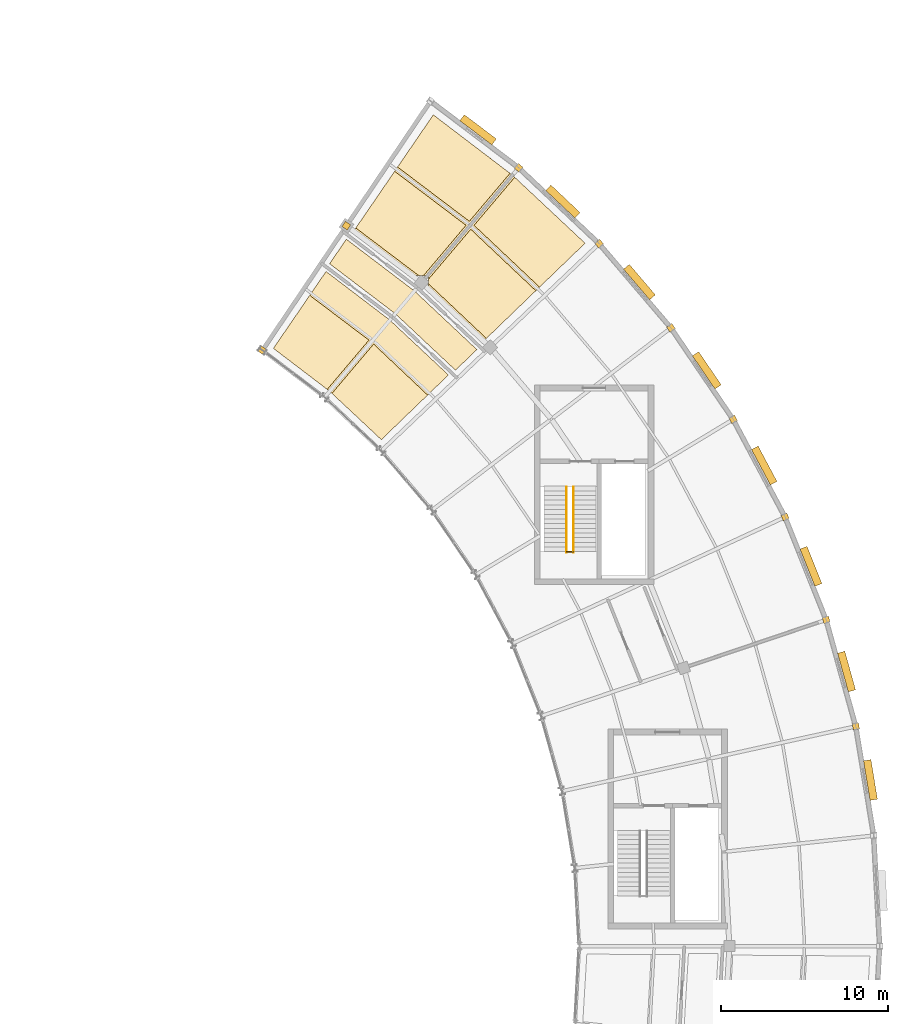
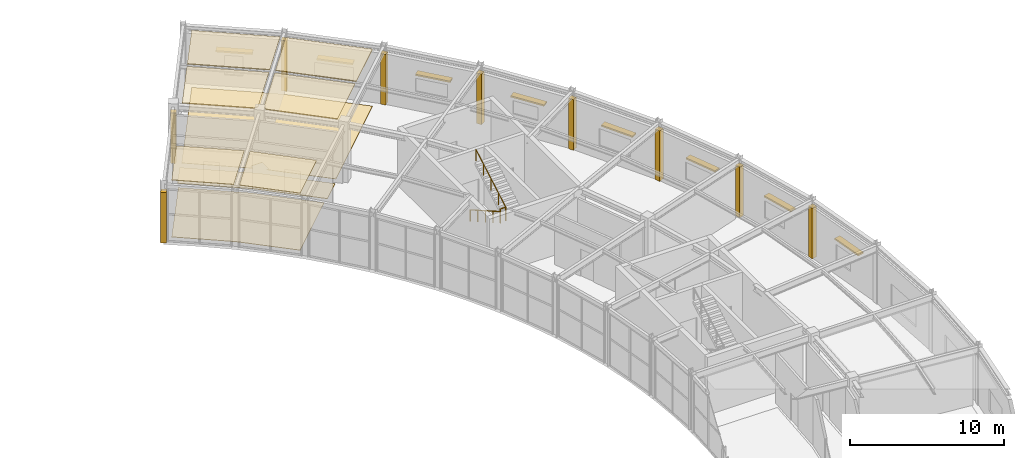
# One storey, part 107 of 108: 18 coverings, 8 shading devices, 3 railings.
"""IFC4 building model written with IfcOpenShell, lengths in metres."""

from ifc_helpers import new_model, si_unit, direction, frame, origin, origin_2d, place, context, subcontext, project, spatial, polyline, rectangle, circle, outline, extrude, material, layer, layer_set, type_object, element, save


model = new_model("IFC4")

# Units and contexts
model_context = context("Model", 3, precision=1e-05, world=origin(), true_north=direction((0.0, 1.0)))
body_context = subcontext(model_context, "Body", "Model", "MODEL_VIEW")
ifc_project = project(units=[si_unit("LENGTHUNIT", "METRE"), si_unit("AREAUNIT", "SQUARE_METRE"), si_unit("VOLUMEUNIT", "CUBIC_METRE"), si_unit("PLANEANGLEUNIT", "RADIAN"), si_unit("MASSUNIT", "GRAM", prefix="KILO")], contexts=[model_context])

# Site, building, storey
site_placement = place(None, origin())
site = spatial("IfcSite", under=ifc_project, at=site_placement, CompositionType="ELEMENT")
building_placement = place(site_placement, origin())
building = spatial("IfcBuilding", under=site, at=building_placement, Name="Tarnveldt Headland Concert Hall", CompositionType="ELEMENT")
storey_placement = place(building_placement, frame((0.0, 0.0, 9.60009765625)))
storey = spatial("IfcBuildingStorey", under=building, at=storey_placement, Name="L02", CompositionType="ELEMENT", Elevation=9.60009765625)

# Coverings
ifc_material_1 = material(Name="Micro-perforated mvule acoustic ceiling panel", Category="timber")
ifc_layer_1 = layer(ifc_material_1, 0.050048828125, Name="Micro-perforated mvule acoustic ceiling panel", Category="timber")
ifc_layer_set_1 = layer_set([ifc_layer_1], Name="Micro-perforated mvule acoustic ceiling panel")
covering_type_1 = type_object("IfcCoveringType", Name="CV-CEIL50", PredefinedType="CEILING", material=ifc_layer_set_1)
covering_1_placement = place(storey_placement, frame((0.0, 0.0, 4.5)))
element("IfcCovering", 1, at=covering_1_placement, inside=storey, type_object=covering_type_1, Name="Acoustic mvule ceiling L02-35-295", PredefinedType="CEILING", context=body_context, shape_type="SweptSolid", body=[
    extrude(outline(polyline([(145.712646484375, 93.072509765625), (148.207763671875, 96.022705078125), (151.439208984375, 92.97412109375), (148.6689453125, 90.302734375), (145.712646484375, 93.072509765625)])), origin(), (0.0, 0.0, 1.0), 0.0498046875),
])
covering_2_placement = place(storey_placement, frame((0.0, 0.0, 4.5)))
element("IfcCovering", 2, at=covering_2_placement, inside=storey, type_object=covering_type_1, Name="Acoustic mvule ceiling L02-35-296", PredefinedType="CEILING", context=body_context, shape_type="SweptSolid", body=[
    extrude(outline(polyline([(147.92529296875, 96.26171875), (145.43017578125, 93.311279296875), (142.208251953125, 95.766845703125), (144.38232421875, 98.942138671875), (147.92529296875, 96.26171875)])), origin(), (0.0, 0.0, 1.0), 0.0498046875),
])
ifc_layer_2 = layer(ifc_material_1, 0.06494140625, Name="Micro-perforated mvule acoustic ceiling panel", Category="timber")
ifc_layer_set_2 = layer_set([ifc_layer_2], Name="Micro-perforated mvule acoustic ceiling panel")
covering_type_2 = type_object("IfcCoveringType", Name="CV-CEIL65", PredefinedType="CEILING", material=ifc_layer_set_2)
covering_3_placement = place(storey_placement, frame((0.0, 0.0, 4.48486328125)))
element("IfcCovering", 3, at=covering_3_placement, inside=storey, type_object=covering_type_2, Name="Acoustic mvule ceiling L02-37-301", PredefinedType="CEILING", context=body_context, shape_type="SweptSolid", body=[
    extrude(outline(polyline([(153.9375, 103.37060546875), (149.640625, 106.62158203125), (151.778564453125, 109.743896484375), (156.368896484375, 106.24560546875), (153.9375, 103.37060546875)])), origin(), (0.0, 0.0, 1.0), 0.06494140625),
])
covering_4_placement = place(storey_placement, frame((0.0, 0.0, 4.48486328125)))
element("IfcCovering", 4, at=covering_4_placement, inside=storey, type_object=covering_type_2, Name="Acoustic mvule ceiling L02-37-302", PredefinedType="CEILING", context=body_context, shape_type="SweptSolid", body=[
    extrude(outline(polyline([(150.898681640625, 100.12939453125), (147.1416015625, 102.971923828125), (149.46533203125, 106.365478515625), (153.737060546875, 103.133544921875), (151.1962890625, 100.12939453125), (150.898681640625, 100.12939453125)])), origin(), (0.0, 0.0, 1.0), 0.06494140625),
])
covering_5_placement = place(storey_placement, frame((0.0, 0.0, 4.48486328125)))
element("IfcCovering", 5, at=covering_5_placement, inside=storey, type_object=covering_type_2, Name="Acoustic mvule ceiling L02-37-303", PredefinedType="CEILING", context=body_context, shape_type="SweptSolid", body=[
    extrude(outline(polyline([(156.651611328125, 106.006591796875), (160.86328125, 102.060546875), (158.139404296875, 99.43408203125), (154.22021484375, 103.131591796875), (156.651611328125, 106.006591796875)])), origin(), (0.0, 0.0, 1.0), 0.06494140625),
])
covering_6_placement = place(storey_placement, frame((0.0, 0.0, 4.48486328125)))
element("IfcCovering", 6, at=covering_6_placement, inside=storey, type_object=covering_type_2, Name="Acoustic mvule ceiling L02-37-304", PredefinedType="CEILING", context=body_context, shape_type="SweptSolid", body=[
    extrude(outline(polyline([(151.504150390625, 99.92041015625), (154.01953125, 102.89453125), (157.916015625, 99.21875), (154.955078125, 96.364013671875), (151.504150390625, 99.61962890625), (151.504150390625, 99.92041015625)])), origin(), (0.0, 0.0, 1.0), 0.06494140625),
])
ifc_material_2 = material(Name="Treated East African mvule hardwood", Category="wood")
ifc_layer_3 = layer(ifc_material_2, 0.028076171875, Name="Treated East African mvule hardwood", Category="wood")
ifc_layer_set_3 = layer_set([ifc_layer_3], Name="Treated East African mvule hardwood")
covering_type_3 = type_object("IfcCoveringType", Name="CV-FLOR28", PredefinedType="FLOORING", material=ifc_layer_set_3)
covering_7_placement = place(storey_placement, origin())
element("IfcCovering", 7, at=covering_7_placement, inside=storey, type_object=covering_type_3, Name="Architectural flooring L02-37-94", PredefinedType="FLOORING", context=body_context, shape_type="SweptSolid", body=[
    extrude(outline(polyline([(154.701416015625, 96.119384765625), (151.32861328125, 99.279296875), (151.504150390625, 99.279296875), (151.504150390625, 100.12939453125), (150.654296875, 100.12939453125), (150.654296875, 99.852783203125), (146.942626953125, 102.681396484375), (146.9453125, 102.68505859375), (147.0029296875, 102.68505859375), (147.0029296875, 102.76953125), (151.778564453125, 109.743896484375), (156.516357421875, 106.13330078125), (160.86328125, 102.060546875), (154.84326171875, 96.256103515625), (154.759765625, 96.256103515625), (154.759765625, 96.175537109375), (154.701416015625, 96.119384765625)])), origin(), (0.0, 0.0, 1.0), 0.02783203125),
])
ifc_material_3 = material(Name="Polished coral-aggregate cementitious terrazzo flooring", Category="concrete")
ifc_layer_4 = layer(ifc_material_3, 0.034912109375, Name="Polished coral-aggregate cementitious terrazzo flooring", Category="concrete")
ifc_layer_set_4 = layer_set([ifc_layer_4], Name="Polished coral-aggregate cementitious terrazzo flooring")
covering_type_4 = type_object("IfcCoveringType", Name="CV-FLOR35", PredefinedType="FLOORING", material=ifc_layer_set_4)
covering_8_placement = place(storey_placement, origin())
element("IfcCovering", 8, at=covering_8_placement, inside=storey, type_object=covering_type_4, Name="Architectural flooring L02-33-90", PredefinedType="FLOORING", context=body_context, shape_type="SweptSolid", body=[
    extrude(outline(polyline([(153.10595703125, 94.460693359375), (149.510498046875, 97.835205078125), (149.496337890625, 97.84716796875), (145.572021484375, 100.83251953125), (146.57470703125, 102.302490234375), (150.65283203125, 99.2001953125), (154.38916015625, 95.69384765625), (153.10595703125, 94.460693359375)])), origin(), (0.0, 0.0, 1.0), 0.034912109375),
])
covering_9_placement = place(storey_placement, origin())
element("IfcCovering", 9, at=covering_9_placement, inside=storey, type_object=covering_type_4, Name="Architectural flooring L02-35-92", PredefinedType="FLOORING", context=body_context, shape_type="SweptSolid", body=[
    extrude(outline(polyline([(148.6689453125, 90.302734375), (145.584228515625, 93.19287109375), (145.5703125, 93.20458984375), (142.208251953125, 95.766845703125), (145.360595703125, 100.37060546875), (149.180419921875, 97.45947265625), (152.685546875, 94.175537109375), (148.6689453125, 90.302734375)])), origin(), (0.0, 0.0, 1.0), 0.034912109375),
])
ifc_material_4 = material(Name="Coral-toned precast concrete C40/50", Category="concrete")
ifc_layer_5 = layer(ifc_material_4, 0.360107421875, Name="Coral-toned precast concrete C40/50", Category="concrete")
ifc_layer_set_5 = layer_set([ifc_layer_5], Name="Coral-toned precast concrete C40/50")
covering_type_5 = type_object("IfcCoveringType", Name="CV-JNT360", PredefinedType="CLADDING", material=ifc_layer_set_5)
for number, where, z_axis, x_axis, name in (
    (10, (141.54541015625, 95.648681640625, 0.0), (0.0, 0.0, 1.0), (0.559192903471, 0.829037572555, 0.0), "Precast facade joint closure pilaster L02-283"),
    (11, (146.577880859375, 103.110107421875, 0.0), (0.0, 0.0, 1.0), (0.559192903471, 0.829037572555, 0.0), "Precast facade joint closure pilaster L02-284"),
    (12, (156.89111328125, 106.576416015625, 0.0), (0.0, 0.0, 1.0), (0.727413564262, -0.686199319824, 0.0), "Precast facade joint closure pilaster L02-287"),
    (13, (161.70703125, 102.032470703125, 0.0), (0.0, 0.0, 1.0), (0.648651397111, -0.761085648942, 0.0), "Precast facade joint closure pilaster L02-288"),
    (14, (166.00244140625, 96.993408203125, 0.0), (0.0, 0.0, 1.0), (0.562372049186, -0.826884319778, 0.0), "Precast facade joint closure pilaster L02-290"),
    (15, (169.726318359375, 91.518798828125, 0.0), (0.0, 0.0, 1.0), (0.469471562786, -0.882947592859, 0.0), "Precast facade joint closure pilaster L02-291"),
    (16, (172.834716796875, 85.672607421875, 0.0), (0.0, 0.0, 1.0), (0.371043710237, -0.928615402141, 0.0), "Precast facade joint closure pilaster L02-293"),
    (17, (175.291259765625, 79.523681640625, 0.0), (0.0, 0.0, 1.0), (0.268079200424, -0.963396876837, 0.0), "Precast facade joint closure pilaster L02-295"),
    (18, (177.06689453125, 73.14501953125, 0.0), (0.0, 0.0, 1.0), (0.162120515372, -0.986770965572, 0.0), "Precast facade joint closure pilaster L02-297"),
):
    element("IfcCovering", number, at=place(storey_placement, frame(where, z_axis=z_axis, x_axis=x_axis)), inside=storey, type_object=covering_type_5, Name=name, PredefinedType="CLADDING", context=body_context, shape_type="SweptSolid", body=[
        extrude(rectangle(XDim=0.3798828125, YDim=0.3798828125, at=origin_2d()), origin(), (0.0, 0.0, 1.0), 3.988037109375),
    ])

# Railings
ifc_material_5 = material(Name="Marine stainless steel", Category="steel")
ifc_layer_6 = layer(ifc_material_5, 0.06005859375, Name="Marine stainless steel", Category="steel")
ifc_layer_set_6 = layer_set([ifc_layer_6], Name="Marine stainless steel")
railing_type_1 = type_object("IfcRailingType", Name="RL-GRD110", PredefinedType="GUARDRAIL", material=ifc_layer_set_6)
railing_1_placement = place(storey_placement, frame((159.75, 83.60009765625, 2.39990234375)))
element("IfcRailing", 19, at=railing_1_placement, inside=storey, type_object=railing_type_1, Name="GUARD STR-C3-L02 half-landing well", PredefinedType="GUARDRAIL", context=body_context, shape_type="SweptSolid", body=[
    extrude(circle(Radius=0.02392578125, at=origin_2d()), frame((0.0, 0.0, 1.076171875), z_axis=(1.0, 0.0, 0.0), x_axis=(0.0, 1.0, 0.0)), (0.0, 0.0, 1.0), 0.419921875),
    extrude(circle(Radius=0.02099609375, at=origin_2d()), origin(), (0.0, 0.0, 1.0), 1.052001953125),
    extrude(circle(Radius=0.02099609375, at=origin_2d()), frame((0.419921875, 0.0, 0.0)), (0.0, 0.0, 1.0), 1.052001953125),
])
ifc_layer_7 = layer(ifc_material_5, 0.048095703125, Name="Marine stainless steel", Category="steel")
ifc_layer_set_7 = layer_set([ifc_layer_7], Name="Marine stainless steel")
railing_type_2 = type_object("IfcRailingType", Name="RL-HND092", PredefinedType="HANDRAIL", material=ifc_layer_set_7)
railing_2_placement = place(storey_placement, frame((159.75, 87.47998046875, 0.159912109375)))
element("IfcRailing", 20, at=railing_2_placement, inside=storey, type_object=railing_type_2, Name="HANDRAIL STR-C3-L02 flight 1", PredefinedType="HANDRAIL", context=body_context, shape_type="SweptSolid", body=[
    extrude(circle(Radius=0.02392578125, at=origin_2d()), frame((0.0, 0.0, 0.89599609375), z_axis=(0.0, -0.868239814368, 0.496144761885), x_axis=(1.0, 0.0, 0.0)), (0.0, 0.0, 1.0), 4.514892578125),
    extrude(circle(Radius=0.02099609375, at=origin_2d()), origin(), (0.0, 0.0, 1.0), 0.871826171875),
    extrude(circle(Radius=0.02099609375, at=origin_2d()), frame((0.0, -0.97998046875, 0.56005859375)), (0.0, 0.0, 1.0), 0.871826171875),
    extrude(circle(Radius=0.02099609375, at=origin_2d()), frame((0.0, -1.9599609375, 1.1201171875)), (0.0, 0.0, 1.0), 0.871826171875),
    extrude(circle(Radius=0.02099609375, at=origin_2d()), frame((0.0, -2.93994140625, 1.679931640625)), (0.0, 0.0, 1.0), 0.871826171875),
    extrude(circle(Radius=0.02099609375, at=origin_2d()), frame((0.0, -3.919921875, 2.239990234375)), (0.0, 0.0, 1.0), 0.871826171875),
])
railing_3_placement = place(storey_placement, frame((160.169921875, 83.56005859375, 2.559814453125)))
element("IfcRailing", 21, at=railing_3_placement, inside=storey, type_object=railing_type_2, Name="HANDRAIL STR-C3-L02 flight 2", PredefinedType="HANDRAIL", context=body_context, shape_type="SweptSolid", body=[
    extrude(circle(Radius=0.02392578125, at=origin_2d()), frame((0.0, 0.0, 0.89599609375), z_axis=(0.0, 0.868239814368, 0.496144761885), x_axis=(-1.0, 0.0, 0.0)), (0.0, 0.0, 1.0), 4.514892578125),
    extrude(circle(Radius=0.02099609375, at=origin_2d()), origin(), (0.0, 0.0, 1.0), 0.871826171875),
    extrude(circle(Radius=0.02099609375, at=origin_2d()), frame((0.0, 0.97998046875, 0.56005859375)), (0.0, 0.0, 1.0), 0.871826171875),
    extrude(circle(Radius=0.02099609375, at=origin_2d()), frame((0.0, 1.9599609375, 1.1201171875)), (0.0, 0.0, 1.0), 0.871826171875),
    extrude(circle(Radius=0.02099609375, at=origin_2d()), frame((0.0, 2.93994140625, 1.679931640625)), (0.0, 0.0, 1.0), 0.871826171875),
    extrude(circle(Radius=0.02099609375, at=origin_2d()), frame((0.0, 3.919921875, 2.239990234375)), (0.0, 0.0, 1.0), 0.871826171875),
])

# Shading devices
ifc_material_6 = material(Name="Terracotta-anodised aluminium EN AW-6063-T6", Category="masonry")
shading_device_type = type_object("IfcShadingDeviceType", Name="SD-LVR450", PredefinedType="USERDEFINED", material=ifc_material_6)
for number, where, z_axis, x_axis, name in (
    (22, (177.944091796875, 69.934326171875, 2.419921875), (0.0, 0.0, 1.0), (0.986770965572, 0.162120515372, 0.0), "Crescent coastal solar louvre L02-11"),
    (23, (176.511474609375, 76.427001953125, 2.419921875), (0.0, 0.0, 1.0), (0.963350073517, 0.268247340815, 0.0), "Crescent coastal solar louvre L02-12"),
    (24, (174.38330078125, 82.72607421875, 2.419921875), (0.0, 0.0, 1.0), (0.928615402141, 0.371043710237, 0.0), "Crescent coastal solar louvre L02-13"),
    (25, (171.585205078125, 88.757568359375, 2.419921875), (0.0, 0.0, 1.0), (0.882947592859, 0.469471562786, 0.0), "Crescent coastal solar louvre L02-14"),
    (26, (168.149658203125, 94.4501953125, 2.56982421875), (0.0, 0.0, 1.0), (0.826884319778, 0.562372049186, 0.0), "Crescent coastal solar louvre L02-15"),
    (27, (164.1171875, 99.73681640625, 2.56982421875), (0.0, 0.0, 1.0), (0.761085648942, 0.648651397111, 0.0), "Crescent coastal solar louvre L02-16"),
    (28, (159.535888671875, 104.555419921875, 2.56982421875), (0.0, 0.0, 1.0), (0.686199319824, 0.727413564262, 0.0), "Crescent coastal solar louvre L02-17"),
    (29, (154.458984375, 108.848876953125, 2.4697265625), (0.0, 0.0, 1.0), (0.603347183213, 0.797478637023, 0.0), "Crescent coastal solar louvre L02-18"),
):
    element("IfcShadingDevice", number, at=place(storey_placement, frame(where, z_axis=z_axis, x_axis=x_axis)), inside=storey, type_object=shading_device_type, Name=name, ObjectType="LOUVRE", PredefinedType="USERDEFINED", context=body_context, shape_type="SweptSolid", body=[
        extrude(rectangle(XDim=0.449951171875, YDim=2.39990234375, at=origin_2d()), origin(), (0.0, 0.0, 1.0), 0.1201171875),
    ])

save(model, "model.ifc")
